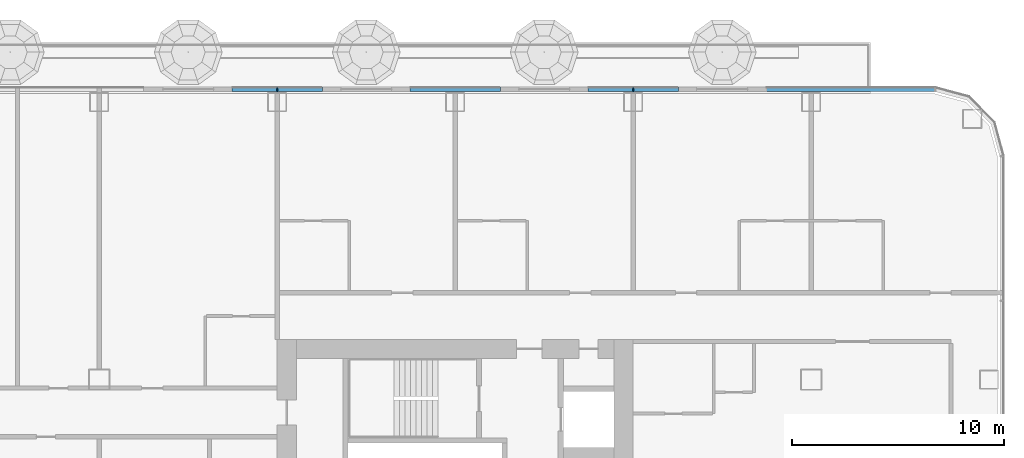
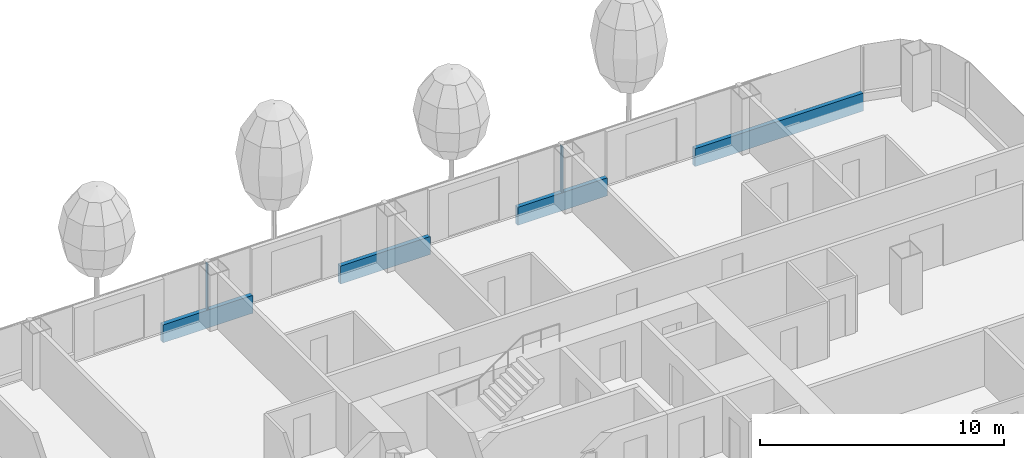
# One storey, part 9 of 35: 6 members, 1 element without a shape of its own.
"""IFC4 building model written with IfcOpenShell, lengths in metres."""

from ifc_helpers import new_model, si_unit, direction, frame, origin, origin_2d, place, context, subcontext, project, spatial, rectangle, extrude, material, layer, layer_set, material_profile, profile_set, type_object, element, aggregate, save


model = new_model("IFC4")

# Units and contexts
model_context = context("Model", 3, precision=1e-05, world=origin(), true_north=direction((0.0, 1.0)))
body_context = subcontext(model_context, "Body", "Model", "MODEL_VIEW")
ifc_project = project(units=[si_unit("LENGTHUNIT", "METRE"), si_unit("AREAUNIT", "SQUARE_METRE"), si_unit("VOLUMEUNIT", "CUBIC_METRE"), si_unit("PLANEANGLEUNIT", "RADIAN"), si_unit("MASSUNIT", "GRAM", prefix="KILO")], contexts=[model_context])

# Site, building, storey
site_placement = place(None, origin())
site = spatial("IfcSite", under=ifc_project, at=site_placement, CompositionType="ELEMENT")
building_placement = place(site_placement, origin())
building = spatial("IfcBuilding", under=site, at=building_placement, Name="Hakoniwa Tower and Hamabe Station Hall", CompositionType="ELEMENT")
storey_placement = place(building_placement, frame((0.0, 0.0, 51.800048828125)))
storey = spatial("IfcBuildingStorey", under=building, at=storey_placement, Name="L14", CompositionType="ELEMENT", Elevation=51.800048828125)

# Curtain wall, members
ifc_material_1 = material(Name="Dark low-e laminated glass", Category="glass")
ifc_layer = layer(ifc_material_1, 0.199951171875)
ifc_layer_set = layer_set([ifc_layer], Name="CW-1 UNITISED GUEST")
curtain_wall_type = type_object("IfcCurtainWallType", Name="CW-1 UNITISED GUEST", PredefinedType="NOTDEFINED", material=ifc_layer_set)
curtain_wall_placement = place(storey_placement, origin())
curtain_wall = element("IfcCurtainWall", 1, at=curtain_wall_placement, inside=storey, type_object=curtain_wall_type, Name="CW-1 curtain wall", PredefinedType="NOTDEFINED")
ifc_material_2 = material(Name="Aluminium 6063-T5 black anodised", Category="aluminium")
ifc_material_profile_1 = material_profile(ifc_material_2, rectangle(XDim=0.199951171875, YDim=0.89990234375, at=origin_2d()), Name="CW SLAB-EDGE BAND 900X200")
ifc_profile_set_1 = profile_set([ifc_material_profile_1], Name="Aluminium 6063-T5 black anodised")
member_type_1 = type_object("IfcMemberType", Name="CW SLAB-EDGE BAND 900X200", PredefinedType="USERDEFINED", material=ifc_profile_set_1)
member_1_placement = place(storey_placement, frame((47.839599609375, 20.199951171875, -0.10009765625), z_axis=(-1.0, 0.0, 0.0), x_axis=(0.0, -1.0, 0.0)))
member_1 = element("IfcMember", 2, at=member_1_placement, type_object=member_type_1, Name="CW-1 transom", ObjectType="TRANSOM", PredefinedType="USERDEFINED", context=body_context, shape_type="SweptSolid", body=[
    extrude(rectangle(XDim=0.199951171875, YDim=0.89990234375, at=origin_2d()), origin(), (0.0, 0.0, 1.0), 7.969482421875),
])
member_2_placement = place(storey_placement, frame((35.72998046875, 20.199951171875, -0.10009765625), z_axis=(-1.0, 0.0, 0.0), x_axis=(0.0, -1.0, 0.0)))
member_2 = element("IfcMember", 3, at=member_2_placement, type_object=member_type_1, Name="CW-1 transom", ObjectType="TRANSOM", PredefinedType="USERDEFINED", context=body_context, shape_type="SweptSolid", body=[
    extrude(rectangle(XDim=0.199951171875, YDim=0.89990234375, at=origin_2d()), origin(), (0.0, 0.0, 1.0), 4.260009765625),
])
member_3_placement = place(storey_placement, frame((27.330078125, 20.199951171875, -0.10009765625), z_axis=(-1.0, 0.0, 0.0), x_axis=(0.0, -1.0, 0.0)))
member_3 = element("IfcMember", 4, at=member_3_placement, type_object=member_type_1, Name="CW-1 transom", ObjectType="TRANSOM", PredefinedType="USERDEFINED", context=body_context, shape_type="SweptSolid", body=[
    extrude(rectangle(XDim=0.199951171875, YDim=0.89990234375, at=origin_2d()), origin(), (0.0, 0.0, 1.0), 4.260009765625),
])
member_4_placement = place(storey_placement, frame((18.929931640625, 20.199951171875, -0.10009765625), z_axis=(-1.0, 0.0, 0.0), x_axis=(0.0, -1.0, 0.0)))
member_4 = element("IfcMember", 5, at=member_4_placement, type_object=member_type_1, Name="CW-1 transom", ObjectType="TRANSOM", PredefinedType="USERDEFINED", context=body_context, shape_type="SweptSolid", body=[
    extrude(rectangle(XDim=0.199951171875, YDim=0.89990234375, at=origin_2d()), origin(), (0.0, 0.0, 1.0), 4.260009765625),
])
ifc_material_3 = material(Name="Aluminium 6063-T5 black anodised", Category="aluminium")
ifc_material_profile_2 = material_profile(ifc_material_3, rectangle(XDim=0.06005859375, YDim=0.179931640625, at=origin_2d()), Name="CW-1 MULLION 60X180")
ifc_profile_set_2 = profile_set([ifc_material_profile_2], Name="Aluminium 6063-T5 black anodised")
member_type_2 = type_object("IfcMemberType", Name="CW-1 MULLION 60X180", PredefinedType="MULLION", material=ifc_profile_set_2)
member_5_placement = place(storey_placement, frame((33.60009765625, 20.181884765625, 0.349853515625), z_axis=(0.0, 0.0, 1.0), x_axis=(-1.0, 0.0, 0.0)))
member_5 = element("IfcMember", 6, at=member_5_placement, type_object=member_type_2, Name="CW-1 mullion", PredefinedType="MULLION", context=body_context, shape_type="SweptSolid", body=[
    extrude(rectangle(XDim=0.06005859375, YDim=0.179931640625, at=origin_2d()), origin(), (0.0, 0.0, 1.0), 2.300048828125),
])
member_6_placement = place(storey_placement, frame((16.800048828125, 20.181884765625, 0.349853515625), z_axis=(0.0, 0.0, 1.0), x_axis=(-1.0, 0.0, 0.0)))
member_6 = element("IfcMember", 7, at=member_6_placement, type_object=member_type_2, Name="CW-1 mullion", PredefinedType="MULLION", context=body_context, shape_type="SweptSolid", body=[
    extrude(rectangle(XDim=0.06005859375, YDim=0.179931640625, at=origin_2d()), origin(), (0.0, 0.0, 1.0), 2.300048828125),
])
aggregate(curtain_wall, [member_5, member_6, member_1, member_2, member_3, member_4])

save(model, "model.ifc")
